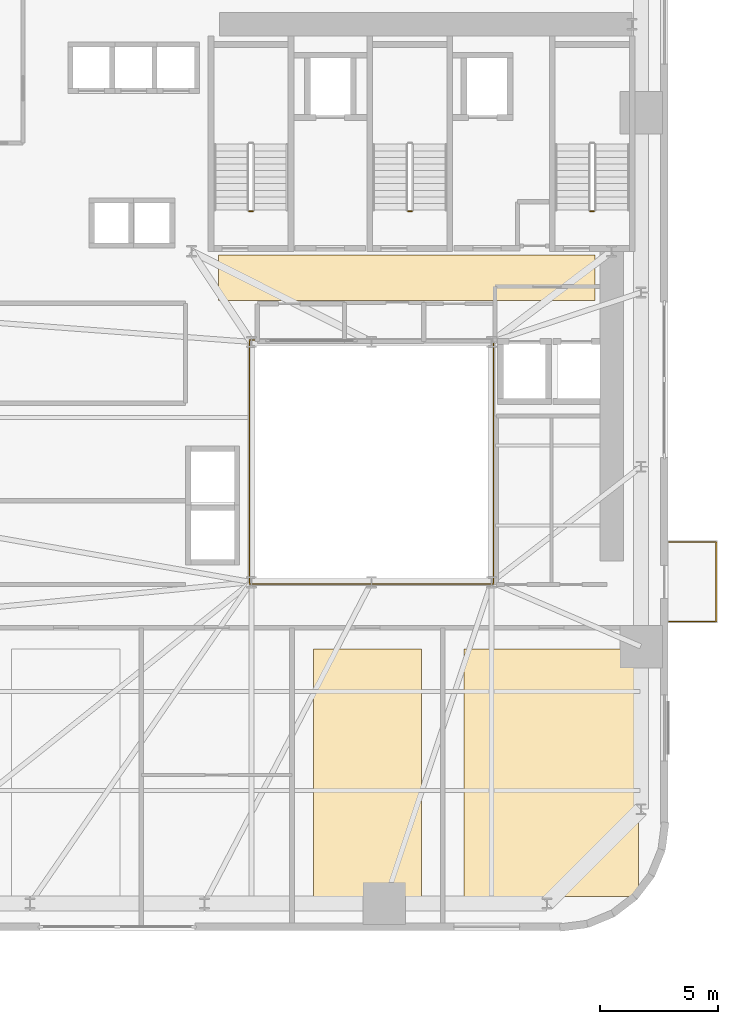
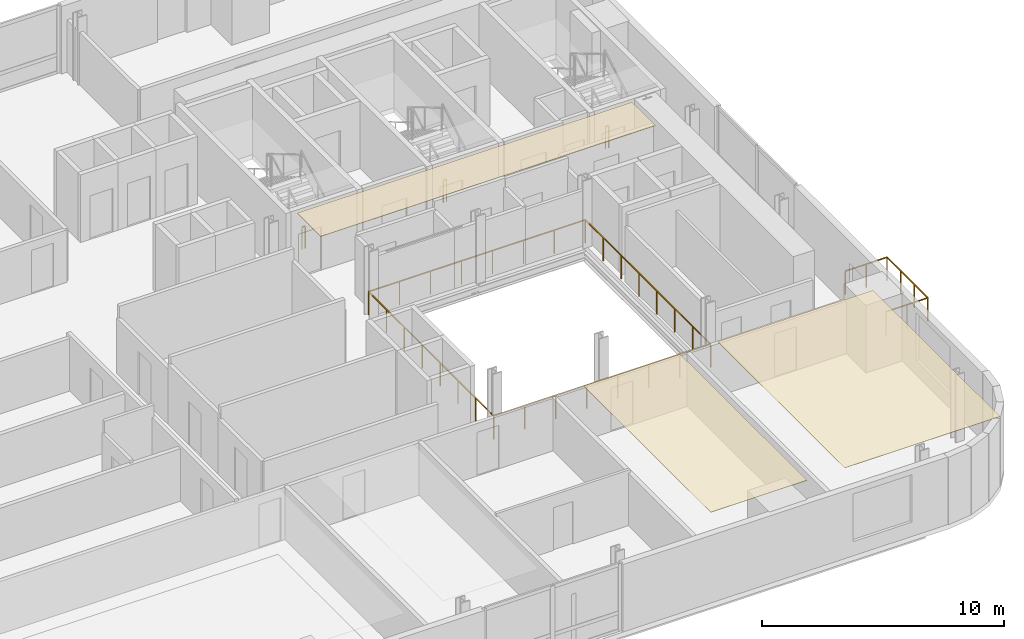
# One storey, part 11 of 13: 5 railings, 3 coverings.
"""IFC4 building model written with IfcOpenShell, lengths in metres."""

from ifc_helpers import new_model, si_unit, direction, frame, origin, origin_2d, place, context, subcontext, project, spatial, polyline, rectangle, outline, extrude, source, transform, mapped, material, layer, layer_set, type_object, element, save


model = new_model("IFC4")

# Units and contexts
model_context = context("Model", 3, precision=1e-05, world=origin(), true_north=direction((0.0, 1.0)))
body_context = subcontext(model_context, "Body", "Model", "MODEL_VIEW")
ifc_project = project(units=[si_unit("LENGTHUNIT", "METRE"), si_unit("AREAUNIT", "SQUARE_METRE"), si_unit("VOLUMEUNIT", "CUBIC_METRE"), si_unit("PLANEANGLEUNIT", "RADIAN"), si_unit("MASSUNIT", "GRAM", prefix="KILO")], contexts=[model_context])

# Site, building, storey
site_placement = place(None, origin())
site = spatial("IfcSite", under=ifc_project, at=site_placement, CompositionType="ELEMENT")
building_placement = place(site_placement, origin())
building = spatial("IfcBuilding", under=site, at=building_placement, Name="Vardaveli Station Tower", CompositionType="ELEMENT")
storey_placement = place(building_placement, frame((0.0, 0.0, 34.89990234375)))
storey = spatial("IfcBuildingStorey", under=building, at=storey_placement, Name="L08", CompositionType="ELEMENT", Elevation=34.89990234375)

# Coverings
ifc_material_1 = material(Name="Perforated acoustic mineral ceiling")
ifc_layer = layer(ifc_material_1, 0.02001953125, Name="Perforated acoustic mineral ceiling")
ifc_layer_set = layer_set([ifc_layer], Name="Perforated acoustic mineral ceiling")
covering_type = type_object("IfcCoveringType", Name="COV-CEIL-AC20", PredefinedType="CEILING", material=ifc_layer_set)
covering_1_placement = place(storey_placement, frame((0.0, 0.0, 3.39501953125)))
element("IfcCovering", 1, at=covering_1_placement, inside=storey, type_object=covering_type, Name="CEIL-L08-3", PredefinedType="CEILING", context=body_context, shape_type="SweptSolid", body=[
    extrude(outline(polyline([(33.82666015625, 3.25), (38.429931640625, 3.25), (38.429931640625, 13.760009765625), (33.82666015625, 13.760009765625), (33.82666015625, 3.25)])), origin(), (0.0, 0.0, 1.0), 0.02001953125),
])
covering_2_placement = place(storey_placement, frame((0.0, 0.0, 3.39501953125)))
element("IfcCovering", 2, at=covering_2_placement, inside=storey, type_object=covering_type, Name="CEIL-L08-4", PredefinedType="CEILING", context=body_context, shape_type="SweptSolid", body=[
    extrude(outline(polyline([(40.22998046875, 3.25), (47.64990234375, 3.25), (47.64990234375, 13.760009765625), (40.22998046875, 13.760009765625), (40.22998046875, 3.25)])), origin(), (0.0, 0.0, 1.0), 0.02001953125),
])
covering_3_placement = place(storey_placement, frame((0.0, 0.0, 3.39501953125)))
element("IfcCovering", 3, at=covering_3_placement, inside=storey, type_object=covering_type, Name="CEIL-L08-5", PredefinedType="CEILING", context=body_context, shape_type="SweptSolid", body=[
    extrude(outline(polyline([(29.800048828125, 28.550048828125), (45.800048828125, 28.550048828125), (45.800048828125, 30.5), (29.800048828125, 30.5), (29.800048828125, 28.550048828125)])), origin(), (0.0, 0.0, 1.0), 0.02001953125),
])

# Railings
ifc_material_2 = material(Name="Laminated glass and stainless steel balustrade", Category="steel")
railing_type_1 = type_object("IfcRailingType", Name="RL-BAL-1200", PredefinedType="BALUSTRADE", material=ifc_material_2)
shared_shape_1 = source(origin(), body_context, "Body", "SweptSolid", [
    extrude(rectangle(XDim=0.048095703125, YDim=0.048095703125, at=origin_2d()), frame((0.0, 0.0, 1.17578125), z_axis=(1.0, 0.0, 0.0), x_axis=(0.0, 1.0, 0.0)), (0.0, 0.0, 1.0), 2.0),
    extrude(rectangle(XDim=0.048095703125, YDim=0.048095703125, at=origin_2d()), frame((2.0, 0.0, 1.17578125), z_axis=(0.0, 1.0, 0.0), x_axis=(-1.0, 0.0, 0.0)), (0.0, 0.0, 1.0), 3.3798828125),
    extrude(rectangle(XDim=0.048095703125, YDim=0.048095703125, at=origin_2d()), frame((2.0, 3.3798828125, 1.17578125), z_axis=(-1.0, 0.0, 0.0), x_axis=(0.0, -1.0, 0.0)), (0.0, 0.0, 1.0), 2.0),
    extrude(rectangle(XDim=0.0419921875, YDim=0.0419921875, at=origin_2d()), origin(), (0.0, 0.0, 1.0), 1.15185546875),
    extrude(rectangle(XDim=0.0419921875, YDim=0.0419921875, at=origin_2d()), frame((1.0, 0.0, 0.0)), (0.0, 0.0, 1.0), 1.15185546875),
    extrude(rectangle(XDim=0.0419921875, YDim=0.0419921875, at=origin_2d()), frame((2.0, 0.0, 0.0)), (0.0, 0.0, 1.0), 1.15185546875),
    extrude(rectangle(XDim=0.0419921875, YDim=0.0419921875, at=origin_2d()), frame((2.0, 1.126708984375, 0.0)), (0.0, 0.0, 1.0), 1.15185546875),
    extrude(rectangle(XDim=0.0419921875, YDim=0.0419921875, at=origin_2d()), frame((2.0, 2.253173828125, 0.0)), (0.0, 0.0, 1.0), 1.15185546875),
    extrude(rectangle(XDim=0.0419921875, YDim=0.0419921875, at=origin_2d()), frame((2.0, 3.3798828125, 0.0)), (0.0, 0.0, 1.0), 1.15185546875),
    extrude(rectangle(XDim=0.0419921875, YDim=0.0419921875, at=origin_2d()), frame((1.0, 3.3798828125, 0.0)), (0.0, 0.0, 1.0), 1.15185546875),
    extrude(rectangle(XDim=0.0419921875, YDim=0.0419921875, at=origin_2d()), frame((0.0, 3.3798828125, 0.0)), (0.0, 0.0, 1.0), 1.15185546875),
])
railing_1_placement = place(storey_placement, frame((48.93994140625, 14.92041015625, 0.0)))
element("IfcRailing", 4, at=railing_1_placement, inside=storey, type_object=railing_type_1, Name="RL-LOG-L08-04", PredefinedType="BALUSTRADE", context=body_context, shape_type="MappedRepresentation", body=[
    mapped(shared_shape_1, transform((0.0, 0.0, 0.0), scale=1.0)),
])
ifc_material_3 = material(Name="Brushed AISI 316 stainless steel", Category="steel")
railing_type_2 = type_object("IfcRailingType", Name="RL-GUARD-1150", PredefinedType="GUARDRAIL", material=ifc_material_3)
shared_shape_2 = source(origin(), body_context, "Body", "SweptSolid", [
    extrude(rectangle(XDim=0.048095703125, YDim=0.048095703125, at=origin_2d()), frame((0.0, 0.0, 1.1259765625), z_axis=(-1.0, 0.0, 0.0), x_axis=(0.0, -1.0, 0.0)), (0.0, 0.0, 1.0), 0.14990234375),
    extrude(rectangle(XDim=0.0419921875, YDim=0.0419921875, at=origin_2d()), origin(), (0.0, 0.0, 1.0), 1.101806640625),
    extrude(rectangle(XDim=0.0419921875, YDim=0.0419921875, at=origin_2d()), frame((-0.14990234375, 0.0, 0.0)), (0.0, 0.0, 1.0), 1.101806640625),
])
for number, where, name in (
    (5, (31.25, 32.35009765625, 0.0), "L08 ST-1 stair guard 4"),
    (6, (38.0, 32.35009765625, 0.0), "L08 ST-2 stair guard 4"),
    (7, (45.75, 32.35009765625, 0.0), "L08 ST-3 stair guard 4"),
):
    element("IfcRailing", number, at=place(storey_placement, frame(where)), inside=storey, type_object=railing_type_2, Name=name, PredefinedType="GUARDRAIL", context=body_context, shape_type="MappedRepresentation", body=[
        mapped(shared_shape_2, transform((0.0, 0.0, 0.0), scale=1.0)),
    ])
shared_shape_3 = source(origin(), body_context, "Body", "SweptSolid", [
    extrude(rectangle(XDim=0.048095703125, YDim=0.048095703125, at=origin_2d()), frame((0.0, 0.0, 1.17578125), z_axis=(1.0, 0.0, 0.0), x_axis=(0.0, 1.0, 0.0)), (0.0, 0.0, 1.0), 10.35986328125),
    extrude(rectangle(XDim=0.048095703125, YDim=0.048095703125, at=origin_2d()), frame((10.35986328125, 0.0, 1.17578125), z_axis=(0.0, 1.0, 0.0), x_axis=(-1.0, 0.0, 0.0)), (0.0, 0.0, 1.0), 10.35986328125),
    extrude(rectangle(XDim=0.048095703125, YDim=0.048095703125, at=origin_2d()), frame((10.35986328125, 10.35986328125, 1.17578125), z_axis=(-1.0, 0.0, 0.0), x_axis=(0.0, -1.0, 0.0)), (0.0, 0.0, 1.0), 10.35986328125),
    extrude(rectangle(XDim=0.048095703125, YDim=0.048095703125, at=origin_2d()), frame((0.0, 10.35986328125, 1.17578125), z_axis=(0.0, -1.0, 0.0), x_axis=(1.0, 0.0, 0.0)), (0.0, 0.0, 1.0), 10.35986328125),
    extrude(rectangle(XDim=0.0419921875, YDim=0.0419921875, at=origin_2d()), origin(), (0.0, 0.0, 1.0), 1.15185546875),
    extrude(rectangle(XDim=0.0419921875, YDim=0.0419921875, at=origin_2d()), frame((1.47998046875, 0.0, 0.0)), (0.0, 0.0, 1.0), 1.15185546875),
    extrude(rectangle(XDim=0.0419921875, YDim=0.0419921875, at=origin_2d()), frame((2.9599609375, 0.0, 0.0)), (0.0, 0.0, 1.0), 1.15185546875),
    extrude(rectangle(XDim=0.0419921875, YDim=0.0419921875, at=origin_2d()), frame((4.43994140625, 0.0, 0.0)), (0.0, 0.0, 1.0), 1.15185546875),
    extrude(rectangle(XDim=0.0419921875, YDim=0.0419921875, at=origin_2d()), frame((5.919921875, 0.0, 0.0)), (0.0, 0.0, 1.0), 1.15185546875),
    extrude(rectangle(XDim=0.0419921875, YDim=0.0419921875, at=origin_2d()), frame((7.39990234375, 0.0, 0.0)), (0.0, 0.0, 1.0), 1.15185546875),
    extrude(rectangle(XDim=0.0419921875, YDim=0.0419921875, at=origin_2d()), frame((8.8798828125, 0.0, 0.0)), (0.0, 0.0, 1.0), 1.15185546875),
    extrude(rectangle(XDim=0.0419921875, YDim=0.0419921875, at=origin_2d()), frame((10.35986328125, 0.0, 0.0)), (0.0, 0.0, 1.0), 1.15185546875),
    extrude(rectangle(XDim=0.0419921875, YDim=0.0419921875, at=origin_2d()), frame((10.35986328125, 1.47998046875, 0.0)), (0.0, 0.0, 1.0), 1.15185546875),
    extrude(rectangle(XDim=0.0419921875, YDim=0.0419921875, at=origin_2d()), frame((10.35986328125, 2.9599609375, 0.0)), (0.0, 0.0, 1.0), 1.15185546875),
    extrude(rectangle(XDim=0.0419921875, YDim=0.0419921875, at=origin_2d()), frame((10.35986328125, 4.43994140625, 0.0)), (0.0, 0.0, 1.0), 1.15185546875),
    extrude(rectangle(XDim=0.0419921875, YDim=0.0419921875, at=origin_2d()), frame((10.35986328125, 5.919921875, 0.0)), (0.0, 0.0, 1.0), 1.15185546875),
    extrude(rectangle(XDim=0.0419921875, YDim=0.0419921875, at=origin_2d()), frame((10.35986328125, 7.39990234375, 0.0)), (0.0, 0.0, 1.0), 1.15185546875),
    extrude(rectangle(XDim=0.0419921875, YDim=0.0419921875, at=origin_2d()), frame((10.35986328125, 8.8798828125, 0.0)), (0.0, 0.0, 1.0), 1.15185546875),
    extrude(rectangle(XDim=0.0419921875, YDim=0.0419921875, at=origin_2d()), frame((10.35986328125, 10.35986328125, 0.0)), (0.0, 0.0, 1.0), 1.15185546875),
    extrude(rectangle(XDim=0.0419921875, YDim=0.0419921875, at=origin_2d()), frame((8.8798828125, 10.35986328125, 0.0)), (0.0, 0.0, 1.0), 1.15185546875),
    extrude(rectangle(XDim=0.0419921875, YDim=0.0419921875, at=origin_2d()), frame((7.39990234375, 10.35986328125, 0.0)), (0.0, 0.0, 1.0), 1.15185546875),
    extrude(rectangle(XDim=0.0419921875, YDim=0.0419921875, at=origin_2d()), frame((5.919921875, 10.35986328125, 0.0)), (0.0, 0.0, 1.0), 1.15185546875),
    extrude(rectangle(XDim=0.0419921875, YDim=0.0419921875, at=origin_2d()), frame((4.43994140625, 10.35986328125, 0.0)), (0.0, 0.0, 1.0), 1.15185546875),
    extrude(rectangle(XDim=0.0419921875, YDim=0.0419921875, at=origin_2d()), frame((2.9599609375, 10.35986328125, 0.0)), (0.0, 0.0, 1.0), 1.15185546875),
    extrude(rectangle(XDim=0.0419921875, YDim=0.0419921875, at=origin_2d()), frame((1.47998046875, 10.35986328125, 0.0)), (0.0, 0.0, 1.0), 1.15185546875),
    extrude(rectangle(XDim=0.0419921875, YDim=0.0419921875, at=origin_2d()), frame((0.0, 10.35986328125, 0.0)), (0.0, 0.0, 1.0), 1.15185546875),
    extrude(rectangle(XDim=0.0419921875, YDim=0.0419921875, at=origin_2d()), frame((0.0, 8.8798828125, 0.0)), (0.0, 0.0, 1.0), 1.15185546875),
    extrude(rectangle(XDim=0.0419921875, YDim=0.0419921875, at=origin_2d()), frame((0.0, 7.39990234375, 0.0)), (0.0, 0.0, 1.0), 1.15185546875),
    extrude(rectangle(XDim=0.0419921875, YDim=0.0419921875, at=origin_2d()), frame((0.0, 5.919921875, 0.0)), (0.0, 0.0, 1.0), 1.15185546875),
    extrude(rectangle(XDim=0.0419921875, YDim=0.0419921875, at=origin_2d()), frame((0.0, 4.43994140625, 0.0)), (0.0, 0.0, 1.0), 1.15185546875),
    extrude(rectangle(XDim=0.0419921875, YDim=0.0419921875, at=origin_2d()), frame((0.0, 2.9599609375, 0.0)), (0.0, 0.0, 1.0), 1.15185546875),
    extrude(rectangle(XDim=0.0419921875, YDim=0.0419921875, at=origin_2d()), frame((0.0, 1.47998046875, 0.0)), (0.0, 0.0, 1.0), 1.15185546875),
])
railing_2_placement = place(storey_placement, frame((31.1201171875, 16.52001953125, 0.0)))
element("IfcRailing", 8, at=railing_2_placement, inside=storey, type_object=railing_type_1, Name="RL-ATR-L08", PredefinedType="BALUSTRADE", context=body_context, shape_type="MappedRepresentation", body=[
    mapped(shared_shape_3, transform((0.0, 0.0, 0.0), scale=1.0)),
])

save(model, "model.ifc")
